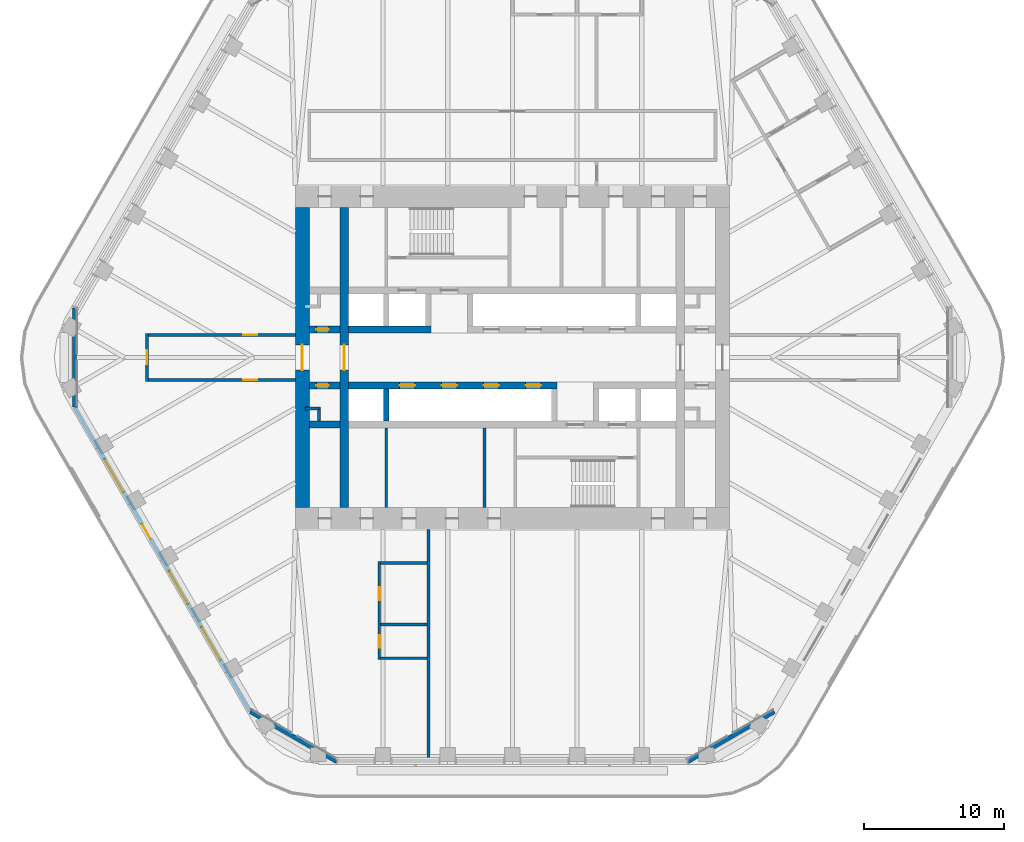
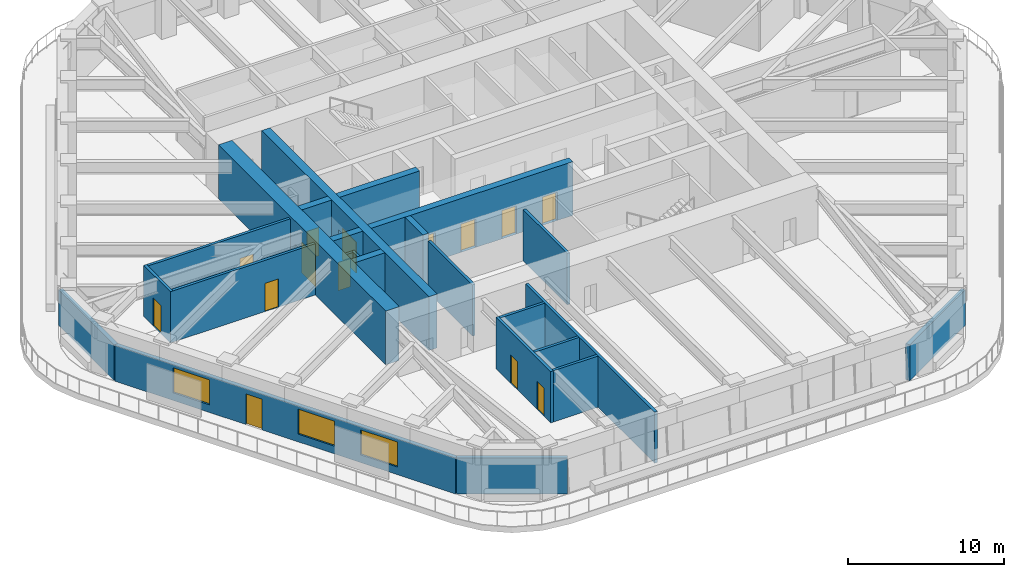
# One storey, part 14 of 20: 24 walls, 14 doors, 3 windows, 17 openings.
"""IFC4 building model written with IfcOpenShell, lengths in metres."""

from ifc_helpers import new_model, si_unit, direction, frame, frame_2d, origin, place, context, subcontext, project, spatial, rectangle, extrude, material, layer, layer_set, type_object, element, fill, save


model = new_model("IFC4")

# Units and contexts
model_context = context("Model", 3, precision=1e-05, world=origin(), true_north=direction((0.0, 1.0)))
body_context = subcontext(model_context, "Body", "Model", "MODEL_VIEW")
ifc_project = project(units=[si_unit("LENGTHUNIT", "METRE"), si_unit("AREAUNIT", "SQUARE_METRE"), si_unit("VOLUMEUNIT", "CUBIC_METRE"), si_unit("PLANEANGLEUNIT", "RADIAN"), si_unit("MASSUNIT", "GRAM", prefix="KILO")], contexts=[model_context])

# Site, building, storey
site_placement = place(None, origin())
site = spatial("IfcSite", under=ifc_project, at=site_placement, CompositionType="ELEMENT")
building_placement = place(site_placement, origin())
building = spatial("IfcBuilding", under=site, at=building_placement, Name="Tarfa Lantern Tower", CompositionType="ELEMENT")
storey_placement = place(building_placement, frame((0.0, 0.0, 291.10009765625)))
storey = spatial("IfcBuildingStorey", under=building, at=storey_placement, Name="L66", CompositionType="ELEMENT", Elevation=291.10009765625)

# Walls
ifc_material_1 = material(Name="Limestone cladding on blockwork", Category="masonry")
ifc_layer_1 = layer(ifc_material_1, 0.300048828125)
ifc_layer_set_1 = layer_set([ifc_layer_1], Name="EW1 STONE-CLAD WALL 300")
wall_type_1 = type_object("IfcWallType", Name="EW1 STONE-CLAD WALL 300", PredefinedType="SOLIDWALL", material=ifc_layer_set_1)
wall_1_placement = place(storey_placement, frame((-31.262939453125, 3.55078125, 0.0), z_axis=(0.0, 0.0, 1.0), x_axis=(0.0, -1.0, 0.0)))
element("IfcWall", 1, at=wall_1_placement, inside=storey, type_object=wall_type_1, Name="Garden wall NW-SW", PredefinedType="SOLIDWALL", context=body_context, shape_type="SweptSolid", body=[
    extrude(rectangle(XDim=7.1015625, YDim=0.300048828125, at=frame_2d((3.55078125, 0.0))), origin(), (0.0, 0.0, 1.0), 2.7998046875),
])
for number, where, z_axis, x_axis, name in (
    (2, (-18.70654296875, -25.299072265625, 0.0), (0.0, 0.0, 1.0), (0.866010973379, -0.500024993363, 0.0), "Garden wall SW-S"),
    (3, (12.556396484375, -28.85009765625, 0.0), (0.0, 0.0, 1.0), (0.866010973379, 0.500024993363, 0.0), "Garden wall S-SE"),
):
    element("IfcWall", number, at=place(storey_placement, frame(where, z_axis=z_axis, x_axis=x_axis)), inside=storey, type_object=wall_type_1, Name=name, PredefinedType="SOLIDWALL", context=body_context, shape_type="SweptSolid", body=[
        extrude(rectangle(XDim=7.101806640625, YDim=0.300048828125, at=frame_2d((3.55078125, 0.0))), origin(), (0.0, 0.0, 1.0), 2.7998046875),
    ])

# Wall, openings, door, windows
wall_2_placement = place(storey_placement, frame((-31.262939453125, -3.55078125, 0.0), z_axis=(0.0, 0.0, 1.0), x_axis=(0.500000442367, -0.866025148383, 0.0)))
wall_2 = element("IfcWall", 4, at=wall_2_placement, inside=storey, type_object=wall_type_1, Name="Stone wall SW", PredefinedType="SOLIDWALL", context=body_context, shape_type="SweptSolid", body=[
    extrude(rectangle(XDim=25.11279296875, YDim=0.300048828125, at=frame_2d((12.556396484375, 0.0))), origin(), (0.0, 0.0, 1.0), 2.7998046875),
])
opening_1_placement = place(wall_2_placement, frame((4.2783203125, 0.0, 0.60009765625)))
opening_1 = element("IfcOpeningElement", 5, at=opening_1_placement, cuts=wall_2, Name="Opening W14", PredefinedType="OPENING", context=body_context, shape_type="SweptSolid", body=[
    extrude(rectangle(XDim=2.699951171875, YDim=1.949951171875, at=frame_2d((1.35009765625, 0.97509765625))), frame((0.0, 0.159912109375, 0.0), z_axis=(0.0, -1.0, 0.0), x_axis=(1.0, 0.0, 0.0)), (0.0, 0.0, 1.0), 0.320068359375),
])
opening_2_placement = place(wall_2_placement, frame((9.64697265625, 0.0, 0.0)))
opening_2 = element("IfcOpeningElement", 6, at=opening_2_placement, cuts=wall_2, Name="Opening D45", PredefinedType="OPENING", context=body_context, shape_type="SweptSolid", body=[
    extrude(rectangle(XDim=1.199951171875, YDim=2.39990234375, at=frame_2d((0.60009765625, 1.199951171875))), frame((0.0, 0.159912109375, 0.0), z_axis=(0.0, -1.0, 0.0), x_axis=(1.0, 0.0, 0.0)), (0.0, 0.0, 1.0), 0.320068359375),
])
opening_3_placement = place(wall_2_placement, frame((13.515869140625, 0.0, 0.60009765625)))
opening_3 = element("IfcOpeningElement", 7, at=opening_3_placement, cuts=wall_2, Name="Opening W14", PredefinedType="OPENING", context=body_context, shape_type="SweptSolid", body=[
    extrude(rectangle(XDim=2.699951171875, YDim=1.949951171875, at=frame_2d((1.35009765625, 0.97509765625))), frame((0.0, 0.159912109375, 0.0), z_axis=(0.0, -1.0, 0.0), x_axis=(1.0, 0.0, 0.0)), (0.0, 0.0, 1.0), 0.320068359375),
])
opening_4_placement = place(wall_2_placement, frame((18.134521484375, 0.0, 0.60009765625)))
opening_4 = element("IfcOpeningElement", 8, at=opening_4_placement, cuts=wall_2, Name="Opening W14", PredefinedType="OPENING", context=body_context, shape_type="SweptSolid", body=[
    extrude(rectangle(XDim=2.699951171875, YDim=1.949951171875, at=frame_2d((1.35009765625, 0.97509765625))), frame((0.0, 0.159912109375, 0.0), z_axis=(0.0, -1.0, 0.0), x_axis=(1.0, 0.0, 0.0)), (0.0, 0.0, 1.0), 0.320068359375),
])
ifc_material_2 = material(Name="Aluminium framed glazed door", Category="aluminium")
door_type_1 = type_object("IfcDoorType", Name="BE3 BALCONY DOOR 1200x2400", OperationType="SINGLE_SWING_RIGHT", PredefinedType="DOOR", material=ifc_material_2)
door_1_placement = place(opening_2_placement, origin())
door_1 = element("IfcDoor", 9, at=door_1_placement, inside=storey, type_object=door_type_1, Name="Balcony door SW", OperationType="SINGLE_SWING_RIGHT", OverallHeight=2.39990234375, OverallWidth=1.199951171875, PredefinedType="DOOR", context=body_context, shape_type="SweptSolid", body=[
    extrude(rectangle(XDim=1.199951171875, YDim=2.39990234375, at=frame_2d((0.60009765625, 1.199951171875))), frame((0.0, 0.02490234375, 0.0), z_axis=(0.0, -1.0, 0.0), x_axis=(1.0, 0.0, 0.0)), (0.0, 0.0, 1.0), 0.050048828125),
])
fill(opening_2, door_1)
ifc_material_3 = material(Name="Aluminium frame, double glazed", Category="aluminium")
window_type = type_object("IfcWindowType", Name="W14 FULL-HEIGHT GLAZING 2700x1950", PartitioningType="SINGLE_PANEL", PredefinedType="WINDOW", material=ifc_material_3)
window_1_placement = place(opening_1_placement, origin())
window_1 = element("IfcWindow", 10, at=window_1_placement, inside=storey, type_object=window_type, Name="Window SW 2", OverallHeight=1.949951171875, OverallWidth=2.699951171875, PartitioningType="SINGLE_PANEL", PredefinedType="WINDOW", context=body_context, shape_type="SweptSolid", body=[
    extrude(rectangle(XDim=2.699951171875, YDim=1.949951171875, at=frame_2d((1.35009765625, 0.97509765625))), frame((0.0, 0.030029296875, 0.0), z_axis=(0.0, -1.0, 0.0), x_axis=(1.0, 0.0, 0.0)), (0.0, 0.0, 1.0), 0.06005859375),
])
fill(opening_1, window_1)
window_2_placement = place(opening_3_placement, origin())
window_2 = element("IfcWindow", 11, at=window_2_placement, inside=storey, type_object=window_type, Name="Window SW 4", OverallHeight=1.949951171875, OverallWidth=2.699951171875, PartitioningType="SINGLE_PANEL", PredefinedType="WINDOW", context=body_context, shape_type="SweptSolid", body=[
    extrude(rectangle(XDim=2.699951171875, YDim=1.949951171875, at=frame_2d((1.35009765625, 0.97509765625))), frame((0.0, 0.030029296875, 0.0), z_axis=(0.0, -1.0, 0.0), x_axis=(1.0, 0.0, 0.0)), (0.0, 0.0, 1.0), 0.06005859375),
])
fill(opening_3, window_2)
window_3_placement = place(opening_4_placement, origin())
window_3 = element("IfcWindow", 12, at=window_3_placement, inside=storey, type_object=window_type, Name="Window SW 5", OverallHeight=1.949951171875, OverallWidth=2.699951171875, PartitioningType="SINGLE_PANEL", PredefinedType="WINDOW", context=body_context, shape_type="SweptSolid", body=[
    extrude(rectangle(XDim=2.699951171875, YDim=1.949951171875, at=frame_2d((1.35009765625, 0.97509765625))), frame((0.0, 0.030029296875, 0.0), z_axis=(0.0, -1.0, 0.0), x_axis=(1.0, 0.0, 0.0)), (0.0, 0.0, 1.0), 0.06005859375),
])
fill(opening_4, window_3)

# Walls
ifc_material_4 = material(Name="Concrete blockwork", Category="masonry")
ifc_layer_2 = layer(ifc_material_4, 0.199951171875)
ifc_layer_set_2 = layer_set([ifc_layer_2], Name="IW1 BLOCKWORK PARTITION 200 EI 120")
wall_type_2 = type_object("IfcWallType", Name="IW1 BLOCKWORK PARTITION 200 EI 120", PredefinedType="PARTITIONING", material=ifc_layer_set_2)
for number, where, z_axis, x_axis, name in (
    (13, (-9.0, -5.050048828125, 0.0), (0.0, 0.0, 1.0), (0.0, -1.0, 0.0), "Core partition"),
    (14, (-2.0, -5.050048828125, 0.0), (0.0, 0.0, 1.0), (0.0, -1.0, 0.0), "Core partition"),
):
    element("IfcWall", number, at=place(storey_placement, frame(where, z_axis=z_axis, x_axis=x_axis)), inside=storey, type_object=wall_type_2, Name=name, PredefinedType="PARTITIONING", context=body_context, shape_type="SweptSolid", body=[
        extrude(rectangle(XDim=5.64990234375, YDim=0.199951171875, at=frame_2d((2.824951171875, 0.0))), origin(), (0.0, 0.0, 1.0), 4.0),
    ])
for number, where, z_axis, x_axis, name in (
    (15, (-13.800048828125, -3.64990234375, 0.0), (0.0, 0.0, 1.0), (-1.0, 0.0, 0.0), "Core partition"),
    (16, (-13.800048828125, -3.550048828125, 0.0), (0.0, 0.0, 1.0), (0.0, -1.0, 0.0), "Core partition"),
):
    element("IfcWall", number, at=place(storey_placement, frame(where, z_axis=z_axis, x_axis=x_axis)), inside=storey, type_object=wall_type_2, Name=name, PredefinedType="PARTITIONING", context=body_context, shape_type="SweptSolid", body=[
        extrude(rectangle(XDim=1.0, YDim=0.199951171875, at=frame_2d((0.5, 0.0))), origin(), (0.0, 0.0, 1.0), 4.0),
    ])

# Wall, opening, door
ifc_material_5 = material(Name="Gypsum board on steel studs", Category="steel")
ifc_layer_3 = layer(ifc_material_5, 0.2099609375)
ifc_layer_set_3 = layer_set([ifc_layer_3], Name="IW2 ACOUSTIC PARTITION 200")
wall_type_3 = type_object("IfcWallType", Name="IW2 ACOUSTIC PARTITION 200", PredefinedType="PARTITIONING", material=ifc_layer_set_3)
wall_3_placement = place(storey_placement, frame((-15.5, 1.60009765625, 0.0), z_axis=(0.0, 0.0, 1.0), x_axis=(-1.0, 0.0, 0.0)))
wall_3 = element("IfcWall", 17, at=wall_3_placement, inside=storey, type_object=wall_type_3, Name="Partition", PredefinedType="PARTITIONING", context=body_context, shape_type="SweptSolid", body=[
    extrude(rectangle(XDim=10.699951171875, YDim=0.199951171875, at=frame_2d((5.35009765625, 0.0))), origin(), (0.0, 0.0, 1.0), 4.0),
])
opening_5_placement = place(wall_3_placement, frame((2.7099609375, 0.0, 0.0)))
opening_5 = element("IfcOpeningElement", 18, at=opening_5_placement, cuts=wall_3, Name="Opening D40", PredefinedType="OPENING", context=body_context, shape_type="SweptSolid", body=[
    extrude(rectangle(XDim=1.0, YDim=2.199951171875, at=frame_2d((0.5, 1.10009765625))), frame((0.0, 0.10986328125, 0.0), z_axis=(0.0, -1.0, 0.0), x_axis=(1.0, 0.0, 0.0)), (0.0, 0.0, 1.0), 0.219970703125),
])
ifc_material_6 = material(Name="Timber door", Category="wood")
door_type_2 = type_object("IfcDoorType", Name="DR1 ROOM DOOR 1000x2200", OperationType="SINGLE_SWING_LEFT", PredefinedType="DOOR", material=ifc_material_6)
door_2_placement = place(opening_5_placement, frame((1.0, 0.0, 0.0), z_axis=(0.0, 0.0, 1.0), x_axis=(-1.0, 0.0, 0.0)))
door_2 = element("IfcDoor", 19, at=door_2_placement, inside=storey, type_object=door_type_2, Name="Corridor door", OperationType="SINGLE_SWING_LEFT", OverallHeight=2.199951171875, OverallWidth=1.0, PredefinedType="DOOR", context=body_context, shape_type="SweptSolid", body=[
    extrude(rectangle(XDim=1.0, YDim=2.199951171875, at=frame_2d((0.5, 1.10009765625))), frame((0.0, 0.02490234375, 0.0), z_axis=(0.0, -1.0, 0.0), x_axis=(1.0, 0.0, 0.0)), (0.0, 0.0, 1.0), 0.050048828125),
])
fill(opening_5, door_2)

wall_4_placement = place(storey_placement, frame((-15.5, -1.60009765625, 0.0), z_axis=(0.0, 0.0, 1.0), x_axis=(-1.0, 0.0, 0.0)))
wall_4 = element("IfcWall", 20, at=wall_4_placement, inside=storey, type_object=wall_type_3, Name="Partition", PredefinedType="PARTITIONING", context=body_context, shape_type="SweptSolid", body=[
    extrude(rectangle(XDim=10.699951171875, YDim=0.199951171875, at=frame_2d((5.35009765625, 0.0))), origin(), (0.0, 0.0, 1.0), 4.0),
])
opening_6_placement = place(wall_4_placement, frame((2.7099609375, 0.0, 0.0)))
opening_6 = element("IfcOpeningElement", 21, at=opening_6_placement, cuts=wall_4, Name="Opening D41", PredefinedType="OPENING", context=body_context, shape_type="SweptSolid", body=[
    extrude(rectangle(XDim=1.0, YDim=2.199951171875, at=frame_2d((0.5, 1.10009765625))), frame((0.0, 0.10986328125, 0.0), z_axis=(0.0, -1.0, 0.0), x_axis=(1.0, 0.0, 0.0)), (0.0, 0.0, 1.0), 0.219970703125),
])
door_3_placement = place(opening_6_placement, origin())
door_3 = element("IfcDoor", 22, at=door_3_placement, inside=storey, type_object=door_type_2, Name="Corridor door", OperationType="SINGLE_SWING_RIGHT", OverallHeight=2.199951171875, OverallWidth=1.0, PredefinedType="DOOR", context=body_context, shape_type="SweptSolid", body=[
    extrude(rectangle(XDim=1.0, YDim=2.199951171875, at=frame_2d((0.5, 1.10009765625))), frame((0.0, 0.02490234375, 0.0), z_axis=(0.0, -1.0, 0.0), x_axis=(1.0, 0.0, 0.0)), (0.0, 0.0, 1.0), 0.050048828125),
])
fill(opening_6, door_3)

wall_5_placement = place(storey_placement, frame((-26.10009765625, -1.699951171875, 0.0), z_axis=(0.0, 0.0, 1.0), x_axis=(0.0, 1.0, 0.0)))
wall_5 = element("IfcWall", 23, at=wall_5_placement, inside=storey, type_object=wall_type_3, Name="Partition", PredefinedType="PARTITIONING", context=body_context, shape_type="SweptSolid", body=[
    extrude(rectangle(XDim=3.39990234375, YDim=0.199951171875, at=frame_2d((1.699951171875, 0.0))), origin(), (0.0, 0.0, 1.0), 4.0),
])
opening_7_placement = place(wall_5_placement, frame((1.199951171875, 0.0, 0.0)))
opening_7 = element("IfcOpeningElement", 24, at=opening_7_placement, cuts=wall_5, Name="Opening D39", PredefinedType="OPENING", context=body_context, shape_type="SweptSolid", body=[
    extrude(rectangle(XDim=1.0, YDim=2.199951171875, at=frame_2d((0.5, 1.10009765625))), frame((0.0, 0.10986328125, 0.0), z_axis=(0.0, -1.0, 0.0), x_axis=(1.0, 0.0, 0.0)), (0.0, 0.0, 1.0), 0.219970703125),
])
door_4_placement = place(opening_7_placement, origin())
door_4 = element("IfcDoor", 25, at=door_4_placement, inside=storey, type_object=door_type_2, Name="Corridor door", OperationType="SINGLE_SWING_RIGHT", OverallHeight=2.199951171875, OverallWidth=1.0, PredefinedType="DOOR", context=body_context, shape_type="SweptSolid", body=[
    extrude(rectangle(XDim=1.0, YDim=2.199951171875, at=frame_2d((0.5, 1.10009765625))), frame((0.0, 0.02490234375, 0.0), z_axis=(0.0, -1.0, 0.0), x_axis=(1.0, 0.0, 0.0)), (0.0, 0.0, 1.0), 0.050048828125),
])
fill(opening_7, door_4)

# Wall
wall_6_placement = place(storey_placement, frame((-6.0, -12.300048828125, 0.0), z_axis=(0.0, 0.0, 1.0), x_axis=(0.0, -1.0, 0.0)))
element("IfcWall", 26, at=wall_6_placement, inside=storey, type_object=wall_type_3, Name="Partition", PredefinedType="PARTITIONING", context=body_context, shape_type="SweptSolid", body=[
    extrude(rectangle(XDim=16.5, YDim=0.199951171875, at=frame_2d((8.25, 0.0))), origin(), (0.0, 0.0, 1.0), 4.0),
])

# Wall, openings, doors
wall_7_placement = place(storey_placement, frame((-9.5, -14.574951171875, 0.0), z_axis=(0.0, 0.0, 1.0), x_axis=(0.0, -1.0, 0.0)))
wall_7 = element("IfcWall", 27, at=wall_7_placement, inside=storey, type_object=wall_type_3, Name="Partition", PredefinedType="PARTITIONING", context=body_context, shape_type="SweptSolid", body=[
    extrude(rectangle(XDim=7.0, YDim=0.199951171875, at=frame_2d((3.5, 0.0))), origin(), (0.0, 0.0, 1.0), 4.0),
])
opening_8_placement = place(wall_7_placement, frame((1.85009765625, 0.0, 0.0)))
opening_8 = element("IfcOpeningElement", 28, at=opening_8_placement, cuts=wall_7, Name="Opening D34", PredefinedType="OPENING", context=body_context, shape_type="SweptSolid", body=[
    extrude(rectangle(XDim=0.89990234375, YDim=2.199951171875, at=frame_2d((0.449951171875, 1.10009765625))), frame((0.0, 0.10986328125, 0.0), z_axis=(0.0, -1.0, 0.0), x_axis=(1.0, 0.0, 0.0)), (0.0, 0.0, 1.0), 0.219970703125),
])
opening_9_placement = place(wall_7_placement, frame((5.25, 0.0, 0.0)))
opening_9 = element("IfcOpeningElement", 29, at=opening_9_placement, cuts=wall_7, Name="Opening D35", PredefinedType="OPENING", context=body_context, shape_type="SweptSolid", body=[
    extrude(rectangle(XDim=0.89990234375, YDim=2.199951171875, at=frame_2d((0.449951171875, 1.10009765625))), frame((0.0, 0.10986328125, 0.0), z_axis=(0.0, -1.0, 0.0), x_axis=(1.0, 0.0, 0.0)), (0.0, 0.0, 1.0), 0.219970703125),
])
door_type_3 = type_object("IfcDoorType", Name="DR3 ROOM DOOR 900x2200", OperationType="SINGLE_SWING_LEFT", PredefinedType="DOOR", material=ifc_material_6)
door_5_placement = place(opening_8_placement, origin())
door_5 = element("IfcDoor", 30, at=door_5_placement, inside=storey, type_object=door_type_3, Name="Project room door", OperationType="SINGLE_SWING_RIGHT", OverallHeight=2.199951171875, OverallWidth=0.89990234375, PredefinedType="DOOR", context=body_context, shape_type="SweptSolid", body=[
    extrude(rectangle(XDim=0.89990234375, YDim=2.199951171875, at=frame_2d((0.449951171875, 1.10009765625))), frame((0.0, 0.02490234375, 0.0), z_axis=(0.0, -1.0, 0.0), x_axis=(1.0, 0.0, 0.0)), (0.0, 0.0, 1.0), 0.050048828125),
])
fill(opening_8, door_5)
door_6_placement = place(opening_9_placement, origin())
door_6 = element("IfcDoor", 31, at=door_6_placement, inside=storey, type_object=door_type_3, Name="Print and copy room door", OperationType="SINGLE_SWING_LEFT", OverallHeight=2.199951171875, OverallWidth=0.89990234375, PredefinedType="DOOR", context=body_context, shape_type="SweptSolid", body=[
    extrude(rectangle(XDim=0.89990234375, YDim=2.199951171875, at=frame_2d((0.449951171875, 1.10009765625))), frame((0.0, 0.02490234375, 0.0), z_axis=(0.0, -1.0, 0.0), x_axis=(1.0, 0.0, 0.0)), (0.0, 0.0, 1.0), 0.050048828125),
])
fill(opening_9, door_6)

# Walls
for number, where, z_axis, x_axis, name in (
    (32, (-6.10009765625, -14.675048828125, 0.0), (0.0, 0.0, 1.0), (-1.0, 0.0, 0.0), "Partition"),
    (33, (-6.10009765625, -19.074951171875, 0.0), (0.0, 0.0, 1.0), (-1.0, 0.0, 0.0), "Partition"),
    (34, (-6.10009765625, -21.47509765625, 0.0), (0.0, 0.0, 1.0), (-1.0, 0.0, 0.0), "Partition"),
):
    element("IfcWall", number, at=place(storey_placement, frame(where, z_axis=z_axis, x_axis=x_axis)), inside=storey, type_object=wall_type_3, Name=name, PredefinedType="PARTITIONING", context=body_context, shape_type="SweptSolid", body=[
        extrude(rectangle(XDim=3.2998046875, YDim=0.199951171875, at=frame_2d((1.64990234375, 0.0))), origin(), (0.0, 0.0, 1.0), 4.0),
    ])

# Wall, opening, door
ifc_material_7 = material(Name="Concrete C80/95", Category="concrete")
ifc_layer_4 = layer(ifc_material_7, 1.0)
ifc_layer_set_4 = layer_set([ifc_layer_4], Name="SW2 CORE WALL 1000")
wall_type_4 = type_object("IfcWallType", Name="SW2 CORE WALL 1000", PredefinedType="SHEAR", material=ifc_layer_set_4)
wall_8_placement = place(storey_placement, frame((-15.0, 10.699951171875, 0.0), z_axis=(0.0, 0.0, 1.0), x_axis=(0.0, -1.0, 0.0)))
wall_8 = element("IfcWall", 35, at=wall_8_placement, inside=storey, type_object=wall_type_4, Name="Core wall W", PredefinedType="SHEAR", context=body_context, shape_type="SweptSolid", body=[
    extrude(rectangle(XDim=21.39990234375, YDim=1.0, at=frame_2d((10.699951171875, 0.0))), origin(), (0.0, 0.0, 1.0), 4.199951171875),
])
opening_10_placement = place(wall_8_placement, frame((9.800048828125, 0.0, 0.0)))
opening_10 = element("IfcOpeningElement", 36, at=opening_10_placement, cuts=wall_8, Name="Opening D12", PredefinedType="OPENING", context=body_context, shape_type="SweptSolid", body=[
    extrude(rectangle(XDim=1.800048828125, YDim=2.39990234375, at=frame_2d((0.89990234375, 1.199951171875))), frame((0.0, 0.510009765625, 0.0), z_axis=(0.0, -1.0, 0.0), x_axis=(1.0, 0.0, 0.0)), (0.0, 0.0, 1.0), 1.02001953125),
])
ifc_material_8 = material(Name="Steel fire door", Category="steel")
door_type_4 = type_object("IfcDoorType", Name="DL1 LOBBY DOOR 1800x2400", OperationType="DOUBLE_DOOR_SINGLE_SWING", PredefinedType="DOOR", material=ifc_material_8)
door_7_placement = place(opening_10_placement, frame((1.800048828125, 0.0, 0.0), z_axis=(0.0, 0.0, 1.0), x_axis=(-1.0, 0.0, 0.0)))
door_7 = element("IfcDoor", 37, at=door_7_placement, inside=storey, type_object=door_type_4, Name="Lift lobby door", OperationType="DOUBLE_DOOR_SINGLE_SWING", OverallHeight=2.39990234375, OverallWidth=1.800048828125, PredefinedType="DOOR", context=body_context, shape_type="SweptSolid", body=[
    extrude(rectangle(XDim=1.800048828125, YDim=2.39990234375, at=frame_2d((0.89990234375, 1.199951171875))), frame((0.0, 0.02490234375, 0.0), z_axis=(0.0, -1.0, 0.0), x_axis=(1.0, 0.0, 0.0)), (0.0, 0.0, 1.0), 0.050048828125),
])
fill(opening_10, door_7)

ifc_layer_5 = layer(ifc_material_7, 0.5)
ifc_layer_set_5 = layer_set([ifc_layer_5], Name="SW5 CORE WALL 500")
wall_type_5 = type_object("IfcWallType", Name="SW5 CORE WALL 500", PredefinedType="SHEAR", material=ifc_layer_set_5)
wall_9_placement = place(storey_placement, frame((-14.5, 2.0, 0.0), z_axis=(0.0, 0.0, 1.0), x_axis=(1.0, 0.0, 0.0)))
wall_9 = element("IfcWall", 38, at=wall_9_placement, inside=storey, type_object=wall_type_5, Name="Core wall lobby west N", PredefinedType="SHEAR", context=body_context, shape_type="SweptSolid", body=[
    extrude(rectangle(XDim=2.199951171875, YDim=0.5, at=frame_2d((1.10009765625, 0.0))), origin(), (0.0, 0.0, 1.0), 4.199951171875),
])
opening_11_placement = place(wall_9_placement, frame((0.5, 0.0, 0.0)))
opening_11 = element("IfcOpeningElement", 39, at=opening_11_placement, cuts=wall_9, Name="Opening D15", PredefinedType="OPENING", context=body_context, shape_type="SweptSolid", body=[
    extrude(rectangle(XDim=0.89990234375, YDim=2.199951171875, at=frame_2d((0.449951171875, 1.10009765625))), frame((0.0, 0.260009765625, 0.0), z_axis=(0.0, -1.0, 0.0), x_axis=(1.0, 0.0, 0.0)), (0.0, 0.0, 1.0), 0.52001953125),
])
door_type_5 = type_object("IfcDoorType", Name="DF6 SERVICE ROOM DOOR 900x2200", OperationType="SINGLE_SWING_LEFT", PredefinedType="DOOR", material=ifc_material_8)
door_8_placement = place(opening_11_placement, origin())
door_8 = element("IfcDoor", 40, at=door_8_placement, inside=storey, type_object=door_type_5, Name="Service room door", OperationType="SINGLE_SWING_RIGHT", OverallHeight=2.199951171875, OverallWidth=0.89990234375, PredefinedType="DOOR", context=body_context, shape_type="SweptSolid", body=[
    extrude(rectangle(XDim=0.89990234375, YDim=2.199951171875, at=frame_2d((0.449951171875, 1.10009765625))), frame((0.0, 0.02490234375, 0.0), z_axis=(0.0, -1.0, 0.0), x_axis=(1.0, 0.0, 0.0)), (0.0, 0.0, 1.0), 0.050048828125),
])
fill(opening_11, door_8)

# Wall
wall_10_placement = place(storey_placement, frame((-11.699951171875, 2.0, 0.0), z_axis=(0.0, 0.0, 1.0), x_axis=(1.0, 0.0, 0.0)))
element("IfcWall", 41, at=wall_10_placement, inside=storey, type_object=wall_type_5, Name="Core wall lobby west N", PredefinedType="SHEAR", context=body_context, shape_type="SweptSolid", body=[
    extrude(rectangle(XDim=5.89990234375, YDim=0.5, at=frame_2d((2.949951171875, 0.0))), origin(), (0.0, 0.0, 1.0), 4.199951171875),
])

# Wall, openings, doors
wall_11_placement = place(storey_placement, frame((3.199951171875, -2.0, 0.0), z_axis=(0.0, 0.0, 1.0), x_axis=(-1.0, 0.0, 0.0)))
wall_11 = element("IfcWall", 42, at=wall_11_placement, inside=storey, type_object=wall_type_5, Name="Core wall lobby east S", PredefinedType="SHEAR", context=body_context, shape_type="SweptSolid", body=[
    extrude(rectangle(XDim=14.89990234375, YDim=0.5, at=frame_2d((7.449951171875, 0.0))), origin(), (0.0, 0.0, 1.0), 4.199951171875),
])
opening_12_placement = place(wall_11_placement, frame((1.14990234375, 0.0, 0.0)))
opening_12 = element("IfcOpeningElement", 43, at=opening_12_placement, cuts=wall_11, Name="Opening LD07", PredefinedType="OPENING", context=body_context, shape_type="SweptSolid", body=[
    extrude(rectangle(XDim=1.10009765625, YDim=2.199951171875, at=frame_2d((0.550048828125, 1.10009765625))), frame((0.0, 0.260009765625, 0.0), z_axis=(0.0, -1.0, 0.0), x_axis=(1.0, 0.0, 0.0)), (0.0, 0.0, 1.0), 0.52001953125),
])
opening_13_placement = place(wall_11_placement, frame((4.14990234375, 0.0, 0.0)))
opening_13 = element("IfcOpeningElement", 44, at=opening_13_placement, cuts=wall_11, Name="Opening LD08", PredefinedType="OPENING", context=body_context, shape_type="SweptSolid", body=[
    extrude(rectangle(XDim=1.10009765625, YDim=2.199951171875, at=frame_2d((0.550048828125, 1.10009765625))), frame((0.0, 0.260009765625, 0.0), z_axis=(0.0, -1.0, 0.0), x_axis=(1.0, 0.0, 0.0)), (0.0, 0.0, 1.0), 0.52001953125),
])
opening_14_placement = place(wall_11_placement, frame((7.14990234375, 0.0, 0.0)))
opening_14 = element("IfcOpeningElement", 45, at=opening_14_placement, cuts=wall_11, Name="Opening LD09", PredefinedType="OPENING", context=body_context, shape_type="SweptSolid", body=[
    extrude(rectangle(XDim=1.10009765625, YDim=2.199951171875, at=frame_2d((0.550048828125, 1.10009765625))), frame((0.0, 0.260009765625, 0.0), z_axis=(0.0, -1.0, 0.0), x_axis=(1.0, 0.0, 0.0)), (0.0, 0.0, 1.0), 0.52001953125),
])
opening_15_placement = place(wall_11_placement, frame((10.14990234375, 0.0, 0.0)))
opening_15 = element("IfcOpeningElement", 46, at=opening_15_placement, cuts=wall_11, Name="Opening LD10", PredefinedType="OPENING", context=body_context, shape_type="SweptSolid", body=[
    extrude(rectangle(XDim=1.10009765625, YDim=2.199951171875, at=frame_2d((0.550048828125, 1.10009765625))), frame((0.0, 0.260009765625, 0.0), z_axis=(0.0, -1.0, 0.0), x_axis=(1.0, 0.0, 0.0)), (0.0, 0.0, 1.0), 0.52001953125),
])
ifc_material_9 = material(Name="Stainless steel lift door", Category="steel")
door_type_6 = type_object("IfcDoorType", Name="LD2 LIFT LANDING DOOR 1100x2200", OperationType="SLIDING_TO_LEFT", PredefinedType="DOOR", material=ifc_material_9)
door_9_placement = place(opening_12_placement, frame((1.10009765625, 0.0, 0.0), z_axis=(0.0, 0.0, 1.0), x_axis=(-1.0, 0.0, 0.0)))
door_9 = element("IfcDoor", 47, at=door_9_placement, inside=storey, type_object=door_type_6, Name="Landing door PC5", OperationType="SLIDING_TO_LEFT", OverallHeight=2.199951171875, OverallWidth=1.10009765625, PredefinedType="DOOR", context=body_context, shape_type="SweptSolid", body=[
    extrude(rectangle(XDim=1.10009765625, YDim=2.199951171875, at=frame_2d((0.550048828125, 1.10009765625))), frame((0.0, 0.02490234375, 0.0), z_axis=(0.0, -1.0, 0.0), x_axis=(1.0, 0.0, 0.0)), (0.0, 0.0, 1.0), 0.050048828125),
])
fill(opening_12, door_9)
door_10_placement = place(opening_13_placement, frame((1.10009765625, 0.0, 0.0), z_axis=(0.0, 0.0, 1.0), x_axis=(-1.0, 0.0, 0.0)))
door_10 = element("IfcDoor", 48, at=door_10_placement, inside=storey, type_object=door_type_6, Name="Landing door PC6", OperationType="SLIDING_TO_LEFT", OverallHeight=2.199951171875, OverallWidth=1.10009765625, PredefinedType="DOOR", context=body_context, shape_type="SweptSolid", body=[
    extrude(rectangle(XDim=1.10009765625, YDim=2.199951171875, at=frame_2d((0.550048828125, 1.10009765625))), frame((0.0, 0.02490234375, 0.0), z_axis=(0.0, -1.0, 0.0), x_axis=(1.0, 0.0, 0.0)), (0.0, 0.0, 1.0), 0.050048828125),
])
fill(opening_13, door_10)
door_11_placement = place(opening_14_placement, frame((1.10009765625, 0.0, 0.0), z_axis=(0.0, 0.0, 1.0), x_axis=(-1.0, 0.0, 0.0)))
door_11 = element("IfcDoor", 49, at=door_11_placement, inside=storey, type_object=door_type_6, Name="Landing door PC7", OperationType="SLIDING_TO_LEFT", OverallHeight=2.199951171875, OverallWidth=1.10009765625, PredefinedType="DOOR", context=body_context, shape_type="SweptSolid", body=[
    extrude(rectangle(XDim=1.10009765625, YDim=2.199951171875, at=frame_2d((0.550048828125, 1.10009765625))), frame((0.0, 0.02490234375, 0.0), z_axis=(0.0, -1.0, 0.0), x_axis=(1.0, 0.0, 0.0)), (0.0, 0.0, 1.0), 0.050048828125),
])
fill(opening_14, door_11)
door_12_placement = place(opening_15_placement, frame((1.10009765625, 0.0, 0.0), z_axis=(0.0, 0.0, 1.0), x_axis=(-1.0, 0.0, 0.0)))
door_12 = element("IfcDoor", 50, at=door_12_placement, inside=storey, type_object=door_type_6, Name="Landing door PC8", OperationType="SLIDING_TO_LEFT", OverallHeight=2.199951171875, OverallWidth=1.10009765625, PredefinedType="DOOR", context=body_context, shape_type="SweptSolid", body=[
    extrude(rectangle(XDim=1.10009765625, YDim=2.199951171875, at=frame_2d((0.550048828125, 1.10009765625))), frame((0.0, 0.02490234375, 0.0), z_axis=(0.0, -1.0, 0.0), x_axis=(1.0, 0.0, 0.0)), (0.0, 0.0, 1.0), 0.050048828125),
])
fill(opening_15, door_12)

# Wall, opening, door
wall_12_placement = place(storey_placement, frame((-12.300048828125, -2.0, 0.0), z_axis=(0.0, 0.0, 1.0), x_axis=(-1.0, 0.0, 0.0)))
wall_12 = element("IfcWall", 51, at=wall_12_placement, inside=storey, type_object=wall_type_5, Name="Core wall lobby east S", PredefinedType="SHEAR", context=body_context, shape_type="SweptSolid", body=[
    extrude(rectangle(XDim=2.199951171875, YDim=0.5, at=frame_2d((1.10009765625, 0.0))), origin(), (0.0, 0.0, 1.0), 4.199951171875),
])
opening_16_placement = place(wall_12_placement, frame((0.800048828125, 0.0, 0.0)))
opening_16 = element("IfcOpeningElement", 52, at=opening_16_placement, cuts=wall_12, Name="Opening D14", PredefinedType="OPENING", context=body_context, shape_type="SweptSolid", body=[
    extrude(rectangle(XDim=0.89990234375, YDim=2.199951171875, at=frame_2d((0.449951171875, 1.10009765625))), frame((0.0, 0.260009765625, 0.0), z_axis=(0.0, -1.0, 0.0), x_axis=(1.0, 0.0, 0.0)), (0.0, 0.0, 1.0), 0.52001953125),
])
door_13_placement = place(opening_16_placement, origin())
door_13 = element("IfcDoor", 53, at=door_13_placement, inside=storey, type_object=door_type_5, Name="Service room door", OperationType="SINGLE_SWING_LEFT", OverallHeight=2.199951171875, OverallWidth=0.89990234375, PredefinedType="DOOR", context=body_context, shape_type="SweptSolid", body=[
    extrude(rectangle(XDim=0.89990234375, YDim=2.199951171875, at=frame_2d((0.449951171875, 1.10009765625))), frame((0.0, 0.02490234375, 0.0), z_axis=(0.0, -1.0, 0.0), x_axis=(1.0, 0.0, 0.0)), (0.0, 0.0, 1.0), 0.050048828125),
])
fill(opening_16, door_13)

# Walls
wall_13_placement = place(storey_placement, frame((-12.300048828125, -4.800048828125, 0.0), z_axis=(0.0, 0.0, 1.0), x_axis=(-1.0, 0.0, 0.0)))
element("IfcWall", 54, at=wall_13_placement, inside=storey, type_object=wall_type_5, Name="Core wall rear S", PredefinedType="SHEAR", context=body_context, shape_type="SweptSolid", body=[
    extrude(rectangle(XDim=2.199951171875, YDim=0.5, at=frame_2d((1.10009765625, 0.0))), origin(), (0.0, 0.0, 1.0), 4.199951171875),
])
ifc_layer_6 = layer(ifc_material_7, 0.39990234375)
ifc_layer_set_6 = layer_set([ifc_layer_6], Name="SW6 CORE WALL 400")
wall_type_6 = type_object("IfcWallType", Name="SW6 CORE WALL 400", PredefinedType="SHEAR", material=ifc_layer_set_6)
wall_14_placement = place(storey_placement, frame((-9.0, -2.25, 0.0), z_axis=(0.0, 0.0, 1.0), x_axis=(0.0, -1.0, 0.0)))
element("IfcWall", 55, at=wall_14_placement, inside=storey, type_object=wall_type_6, Name="Core wall divider S", PredefinedType="SHEAR", context=body_context, shape_type="SweptSolid", body=[
    extrude(rectangle(XDim=2.300048828125, YDim=0.39990234375, at=frame_2d((1.14990234375, 0.0))), origin(), (0.0, 0.0, 1.0), 4.199951171875),
])

# Wall, opening, door
ifc_layer_7 = layer(ifc_material_7, 0.60009765625)
ifc_layer_set_7 = layer_set([ifc_layer_7], Name="SW9 CORE WALL 600")
wall_type_7 = type_object("IfcWallType", Name="SW9 CORE WALL 600", PredefinedType="SHEAR", material=ifc_layer_set_7)
wall_15_placement = place(storey_placement, frame((-12.0, -10.699951171875, 0.0), z_axis=(0.0, 0.0, 1.0), x_axis=(0.0, 1.0, 0.0)))
wall_15 = element("IfcWall", 56, at=wall_15_placement, inside=storey, type_object=wall_type_7, Name="Core wall cross 12 m west", PredefinedType="SHEAR", context=body_context, shape_type="SweptSolid", body=[
    extrude(rectangle(XDim=21.39990234375, YDim=0.60009765625, at=frame_2d((10.699951171875, 0.0))), origin(), (0.0, 0.0, 1.0), 4.199951171875),
])
opening_17_placement = place(wall_15_placement, frame((9.800048828125, 0.0, 0.0)))
opening_17 = element("IfcOpeningElement", 57, at=opening_17_placement, cuts=wall_15, Name="Opening D26", PredefinedType="OPENING", context=body_context, shape_type="SweptSolid", body=[
    extrude(rectangle(XDim=1.800048828125, YDim=2.39990234375, at=frame_2d((0.89990234375, 1.199951171875))), frame((0.0, 0.31005859375, 0.0), z_axis=(0.0, -1.0, 0.0), x_axis=(1.0, 0.0, 0.0)), (0.0, 0.0, 1.0), 0.6201171875),
])
door_14_placement = place(opening_17_placement, origin())
door_14 = element("IfcDoor", 58, at=door_14_placement, inside=storey, type_object=door_type_4, Name="Lift lobby door", OperationType="DOUBLE_DOOR_SINGLE_SWING", OverallHeight=2.39990234375, OverallWidth=1.800048828125, PredefinedType="DOOR", context=body_context, shape_type="SweptSolid", body=[
    extrude(rectangle(XDim=1.800048828125, YDim=2.39990234375, at=frame_2d((0.89990234375, 1.199951171875))), frame((0.0, 0.02490234375, 0.0), z_axis=(0.0, -1.0, 0.0), x_axis=(1.0, 0.0, 0.0)), (0.0, 0.0, 1.0), 0.050048828125),
])
fill(opening_17, door_14)

save(model, "model.ifc")
